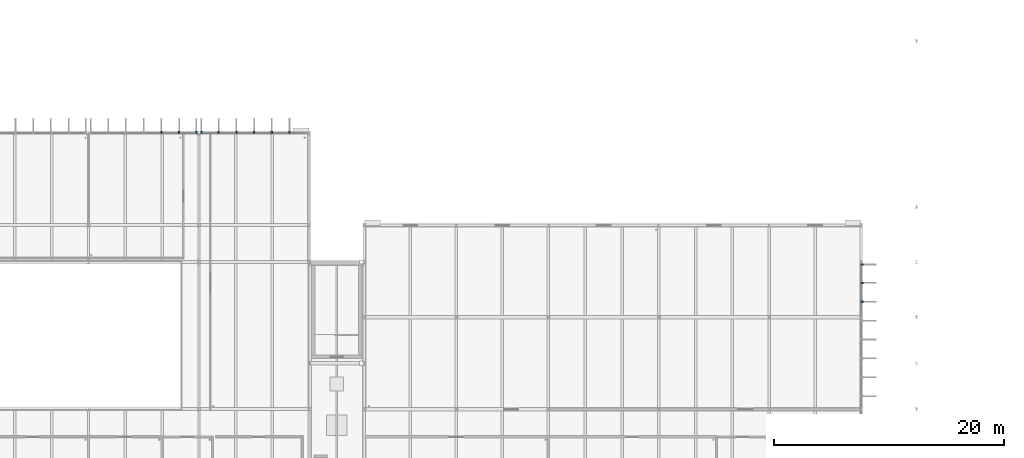
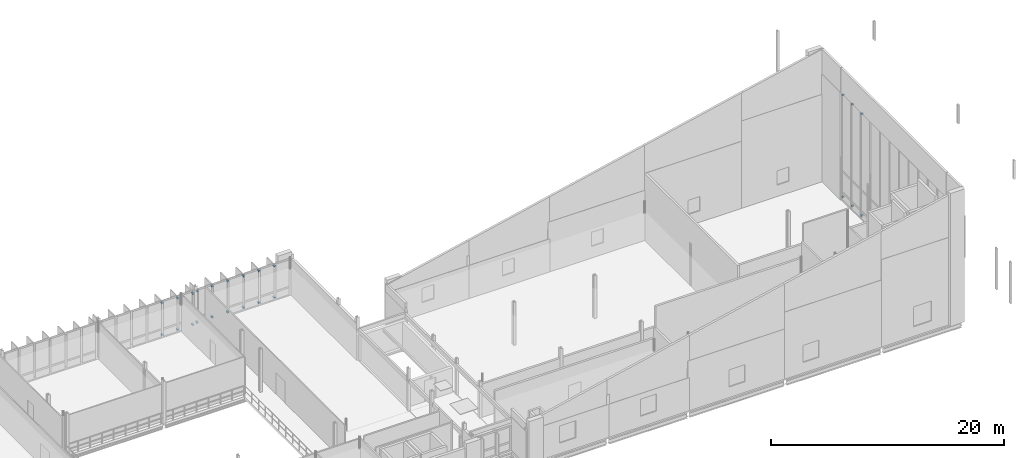
# One storey, part 54 of 59: 24 discrete accessories.
"""IFC4 building model written with IfcOpenShell, lengths in metres."""

from ifc_helpers import new_model, si_unit, direction, frame, origin, origin_2d, place, context, subcontext, project, spatial, rectangle, extrude, material, type_object, element, save


model = new_model("IFC4")

# Units and contexts
model_context = context("Model", 3, precision=1e-05, world=origin(), true_north=direction((0.0, 1.0)))
body_context = subcontext(model_context, "Body", "Model", "MODEL_VIEW")
ifc_project = project(units=[si_unit("LENGTHUNIT", "METRE"), si_unit("AREAUNIT", "SQUARE_METRE"), si_unit("VOLUMEUNIT", "CUBIC_METRE"), si_unit("PLANEANGLEUNIT", "RADIAN"), si_unit("MASSUNIT", "GRAM", prefix="KILO")], contexts=[model_context])

# Site, building, storey
site_placement = place(None, origin())
site = spatial("IfcSite", under=ifc_project, at=site_placement, CompositionType="ELEMENT")
building_placement = place(site_placement, origin())
building = spatial("IfcBuilding", under=site, at=building_placement, Name="Dunescarp Central Library", CompositionType="ELEMENT")
storey_placement = place(building_placement, frame((0.0, 0.0, 18.60009765625)))
storey = spatial("IfcBuildingStorey", under=building, at=storey_placement, Name="L04", CompositionType="ELEMENT", Elevation=18.60009765625)

# Discrete accessories
ifc_material = material(Name="Stainless steel Grade 316L", Category="steel")
discrete_accessory_type = type_object("IfcDiscreteAccessoryType", Name="ARC-ACC-BRK", PredefinedType="BRACKET", material=ifc_material)
for number, where, z_axis, x_axis, name in (
    (1, (63.94189453125, 36.8798828125, 0.18994140625), (0.0, 0.0, 1.0), (0.0, 1.0, 0.0), "Fin bracket BRK-FIN-L04-0501-B"),
    (2, (63.94189453125, 36.8798828125, 3.5380859375), (0.0, 0.0, 1.0), (0.0, 1.0, 0.0), "Fin bracket BRK-FIN-L04-0501-T"),
    (3, (65.48291015625, 36.8798828125, 0.18994140625), (0.0, 0.0, 1.0), (0.0, 1.0, 0.0), "Fin bracket BRK-FIN-L04-0502-B"),
    (4, (65.48291015625, 36.8798828125, 3.48779296875), (0.0, 0.0, 1.0), (0.0, 1.0, 0.0), "Fin bracket BRK-FIN-L04-0502-T"),
    (5, (66.985107421875, 36.8798828125, 0.18994140625), (0.0, 0.0, 1.0), (0.0, 1.0, 0.0), "Fin bracket BRK-FIN-L04-0503-B"),
    (6, (66.985107421875, 36.8798828125, 3.455078125), (0.0, 0.0, 1.0), (0.0, 1.0, 0.0), "Fin bracket BRK-FIN-L04-0503-T"),
    (7, (67.4150390625, 36.8798828125, 0.27685546875), (0.0, 0.0, 1.0), (0.0, 1.0, 0.0), "Fin bracket BRK-FIN-L04-0504-B"),
    (8, (67.4150390625, 36.8798828125, 3.548828125), (0.0, 0.0, 1.0), (0.0, 1.0, 0.0), "Fin bracket BRK-FIN-L04-0504-T"),
    (9, (68.9169921875, 36.8798828125, 0.2900390625), (0.0, 0.0, 1.0), (0.0, 1.0, 0.0), "Fin bracket BRK-FIN-L04-0505-B"),
    (10, (68.9169921875, 36.8798828125, 3.548828125), (0.0, 0.0, 1.0), (0.0, 1.0, 0.0), "Fin bracket BRK-FIN-L04-0505-T"),
    (11, (70.4580078125, 36.8798828125, 0.27392578125), (0.0, 0.0, 1.0), (0.0, 1.0, 0.0), "Fin bracket BRK-FIN-L04-0506-B"),
    (12, (70.4580078125, 36.8798828125, 3.548828125), (0.0, 0.0, 1.0), (0.0, 1.0, 0.0), "Fin bracket BRK-FIN-L04-0506-T"),
    (13, (72.0, 36.8798828125, 0.23291015625), (0.0, 0.0, 1.0), (0.0, 1.0, 0.0), "Fin bracket BRK-FIN-L04-0507-B"),
    (14, (72.0, 36.8798828125, 3.548828125), (0.0, 0.0, 1.0), (0.0, 1.0, 0.0), "Fin bracket BRK-FIN-L04-0507-T"),
    (15, (73.5419921875, 36.8798828125, 0.18994140625), (0.0, 0.0, 1.0), (0.0, 1.0, 0.0), "Fin bracket BRK-FIN-L04-0508-B"),
    (16, (73.5419921875, 36.8798828125, 3.5380859375), (0.0, 0.0, 1.0), (0.0, 1.0, 0.0), "Fin bracket BRK-FIN-L04-0508-T"),
    (17, (75.0830078125, 36.8798828125, 0.18994140625), (0.0, 0.0, 1.0), (0.0, 1.0, 0.0), "Fin bracket BRK-FIN-L04-0509-B"),
    (18, (75.0830078125, 36.8798828125, 3.48779296875), (0.0, 0.0, 1.0), (0.0, 1.0, 0.0), "Fin bracket BRK-FIN-L04-0509-T"),
    (19, (124.8798828125, 25.385009765625, 0.27685546875), (0.0, 0.0, 1.0), (1.0, 0.0, 0.0), "Fin bracket BRK-FIN-L04-0731-B"),
    (20, (124.8798828125, 25.385009765625, 10.9638671875), (0.0, 0.0, 1.0), (1.0, 0.0, 0.0), "Fin bracket BRK-FIN-L04-0731-T"),
    (21, (124.8798828125, 23.783935546875, 0.2900390625), (0.0, 0.0, 1.0), (1.0, 0.0, 0.0), "Fin bracket BRK-FIN-L04-0732-B"),
    (22, (124.8798828125, 23.783935546875, 10.9638671875), (0.0, 0.0, 1.0), (1.0, 0.0, 0.0), "Fin bracket BRK-FIN-L04-0732-T"),
    (23, (124.8798828125, 22.14306640625, 0.27392578125), (0.0, 0.0, 1.0), (1.0, 0.0, 0.0), "Fin bracket BRK-FIN-L04-0733-B"),
    (24, (124.8798828125, 22.14306640625, 10.9638671875), (0.0, 0.0, 1.0), (1.0, 0.0, 0.0), "Fin bracket BRK-FIN-L04-0733-T"),
):
    element("IfcDiscreteAccessory", number, at=place(storey_placement, frame(where, z_axis=z_axis, x_axis=x_axis)), inside=storey, type_object=discrete_accessory_type, Name=name, PredefinedType="BRACKET", context=body_context, shape_type="SweptSolid", body=[
        extrude(rectangle(XDim=0.219970703125, YDim=0.139892578125, at=origin_2d()), origin(), (0.0, 0.0, 1.0), 0.139892578125),
    ])

save(model, "model.ifc")
